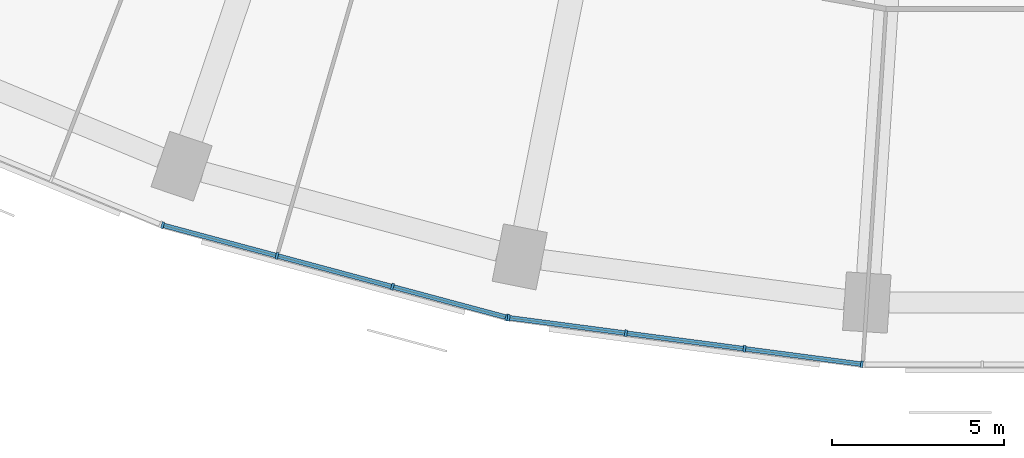
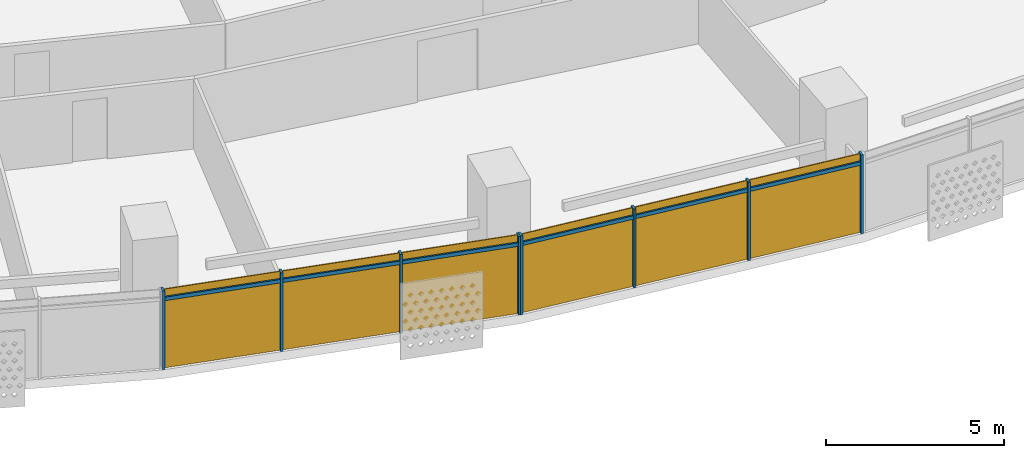
# One storey, part 19 of 31: 14 members, 2 curtain walls.
"""IFC4 building model written with IfcOpenShell, lengths in metres."""

from ifc_helpers import new_model, si_unit, direction, frame, origin, origin_2d, place, context, subcontext, project, spatial, rectangle, extrude, material, material_profile, profile_set, type_object, element, aggregate, save


model = new_model("IFC4")

# Units and contexts
model_context = context("Model", 3, precision=1e-05, world=origin(), true_north=direction((0.0, 1.0)))
body_context = subcontext(model_context, "Body", "Model", "MODEL_VIEW")
ifc_project = project(units=[si_unit("LENGTHUNIT", "METRE"), si_unit("AREAUNIT", "SQUARE_METRE"), si_unit("VOLUMEUNIT", "CUBIC_METRE"), si_unit("PLANEANGLEUNIT", "RADIAN"), si_unit("MASSUNIT", "GRAM", prefix="KILO")], contexts=[model_context])

# Member
ifc_material = material(Name="Aluminium 6063-T6 anodised", Category="aluminium")
ifc_material_profile_1 = material_profile(ifc_material, rectangle(XDim=0.199951171875, YDim=0.070068359375, at=origin_2d()))
ifc_profile_set_1 = profile_set([ifc_material_profile_1], Name="Aluminium 6063-T6 anodised")
member_type_1 = type_object("IfcMemberType", Name="Mullion 70 x 200 aluminium", PredefinedType="MULLION", material=ifc_profile_set_1)
site_placement = place(None, origin())
building_placement = place(site_placement, origin())
storey_placement = place(building_placement, frame((0.0, 0.0, 82.300048828125)))
member_1_placement = place(storey_placement, frame((-25.54296875, -75.33544921875, 0.0), z_axis=(0.0, 0.0, 1.0), x_axis=(0.258819045103, 0.965925826289, 0.0)))
member_1 = element("IfcMember", 1, at=member_1_placement, type_object=member_type_1, Name="e-cw1-L17-out06/M00", PredefinedType="MULLION", context=body_context, shape_type="SweptSolid", body=[
    extrude(rectangle(XDim=0.199951171875, YDim=0.070068359375, at=origin_2d()), origin(), (0.0, 0.0, 1.0), 2.699951171875),
])

member_2_placement = place(storey_placement, frame((-22.22216796875, -76.225341796875, 0.0), z_axis=(0.0, 0.0, 1.0), x_axis=(0.258819045103, 0.965925826289, 0.0)))
member_2 = element("IfcMember", 2, at=member_2_placement, type_object=member_type_1, Name="e-cw1-L17-out06/M01", PredefinedType="MULLION", context=body_context, shape_type="SweptSolid", body=[
    extrude(rectangle(XDim=0.199951171875, YDim=0.070068359375, at=origin_2d()), origin(), (0.0, 0.0, 1.0), 2.699951171875),
])

member_3_placement = place(storey_placement, frame((-18.86767578125, -77.1240234375, 0.0), z_axis=(0.0, 0.0, 1.0), x_axis=(0.258819045103, 0.965925826289, 0.0)))
member_3 = element("IfcMember", 3, at=member_3_placement, type_object=member_type_1, Name="e-cw1-L17-out06/M02", PredefinedType="MULLION", context=body_context, shape_type="SweptSolid", body=[
    extrude(rectangle(XDim=0.199951171875, YDim=0.070068359375, at=origin_2d()), origin(), (0.0, 0.0, 1.0), 2.699951171875),
])

member_4_placement = place(storey_placement, frame((-15.546875, -78.013916015625, 0.0), z_axis=(0.0, 0.0, 1.0), x_axis=(0.258819045103, 0.965925826289, 0.0)))
member_4 = element("IfcMember", 4, at=member_4_placement, type_object=member_type_1, Name="e-cw1-L17-out06/M03", PredefinedType="MULLION", context=body_context, shape_type="SweptSolid", body=[
    extrude(rectangle(XDim=0.199951171875, YDim=0.070068359375, at=origin_2d()), origin(), (0.0, 0.0, 1.0), 2.699951171875),
])

member_5_placement = place(storey_placement, frame((-15.4912109375, -78.02490234375, 0.0), z_axis=(0.0, 0.0, 1.0), x_axis=(0.13052619222, 0.991444861374, 0.0)))
member_5 = element("IfcMember", 5, at=member_5_placement, type_object=member_type_1, Name="e-cw1-L17-out07/M00", PredefinedType="MULLION", context=body_context, shape_type="SweptSolid", body=[
    extrude(rectangle(XDim=0.199951171875, YDim=0.070068359375, at=origin_2d()), origin(), (0.0, 0.0, 1.0), 2.699951171875),
])

member_6_placement = place(storey_placement, frame((-12.082763671875, -78.4736328125, 0.0), z_axis=(0.0, 0.0, 1.0), x_axis=(0.13052619222, 0.991444861374, 0.0)))
member_6 = element("IfcMember", 6, at=member_6_placement, type_object=member_type_1, Name="e-cw1-L17-out07/M01", PredefinedType="MULLION", context=body_context, shape_type="SweptSolid", body=[
    extrude(rectangle(XDim=0.199951171875, YDim=0.070068359375, at=origin_2d()), origin(), (0.0, 0.0, 1.0), 2.699951171875),
])

member_7_placement = place(storey_placement, frame((-8.639404296875, -78.927001953125, 0.0), z_axis=(0.0, 0.0, 1.0), x_axis=(0.13052619222, 0.991444861374, 0.0)))
member_7 = element("IfcMember", 7, at=member_7_placement, type_object=member_type_1, Name="e-cw1-L17-out07/M02", PredefinedType="MULLION", context=body_context, shape_type="SweptSolid", body=[
    extrude(rectangle(XDim=0.199951171875, YDim=0.070068359375, at=origin_2d()), origin(), (0.0, 0.0, 1.0), 2.699951171875),
])

member_8_placement = place(storey_placement, frame((-5.23095703125, -79.375732421875, 0.0), z_axis=(0.0, 0.0, 1.0), x_axis=(0.13052619222, 0.991444861374, 0.0)))
member_8 = element("IfcMember", 8, at=member_8_placement, type_object=member_type_1, Name="e-cw1-L17-out07/M03", PredefinedType="MULLION", context=body_context, shape_type="SweptSolid", body=[
    extrude(rectangle(XDim=0.199951171875, YDim=0.070068359375, at=origin_2d()), origin(), (0.0, 0.0, 1.0), 2.699951171875),
])

ifc_material_profile_2 = material_profile(ifc_material, rectangle(XDim=0.139892578125, YDim=0.1201171875, at=origin_2d()))
ifc_profile_set_2 = profile_set([ifc_material_profile_2], Name="Aluminium 6063-T6 anodised")
member_type_2 = type_object("IfcMemberType", Name="Transom 120 x 140 aluminium", PredefinedType="USERDEFINED", material=ifc_profile_set_2)
member_9_placement = place(storey_placement, frame((-25.50927734375, -75.344482421875, 2.39990234375), z_axis=(0.965915368772, -0.258858069935, 0.0), x_axis=(0.258858069935, 0.965915368772, 0.0)))
member_9 = element("IfcMember", 9, at=member_9_placement, type_object=member_type_2, Name="e-cw1-L17-out06/T00", ObjectType="TRANSOM", PredefinedType="USERDEFINED", context=body_context, shape_type="SweptSolid", body=[
    extrude(rectangle(XDim=0.139892578125, YDim=0.1201171875, at=origin_2d()), origin(), (0.0, 0.0, 1.0), 3.367919921875),
])

member_10_placement = place(storey_placement, frame((-22.1884765625, -76.234375, 2.39990234375), z_axis=(0.965937804901, -0.258774336176, 0.0), x_axis=(0.258774336176, 0.965937804901, 0.0)))
member_10 = element("IfcMember", 10, at=member_10_placement, type_object=member_type_2, Name="e-cw1-L17-out06/T01", ObjectType="TRANSOM", PredefinedType="USERDEFINED", context=body_context, shape_type="SweptSolid", body=[
    extrude(rectangle(XDim=0.139892578125, YDim=0.1201171875, at=origin_2d()), origin(), (0.0, 0.0, 1.0), 3.403076171875),
])

member_11_placement = place(storey_placement, frame((-18.833740234375, -77.133056640625, 2.39990234375), z_axis=(0.965915368772, -0.258858069935, 0.0), x_axis=(0.258858069935, 0.965915368772, 0.0)))
member_11 = element("IfcMember", 11, at=member_11_placement, type_object=member_type_2, Name="e-cw1-L17-out06/T02", ObjectType="TRANSOM", PredefinedType="USERDEFINED", context=body_context, shape_type="SweptSolid", body=[
    extrude(rectangle(XDim=0.139892578125, YDim=0.1201171875, at=origin_2d()), origin(), (0.0, 0.0, 1.0), 3.367919921875),
])

member_12_placement = place(storey_placement, frame((-15.45654296875, -78.029541015625, 2.39990234375), z_axis=(0.9914412138, -0.130553895303, 0.0), x_axis=(0.130553895303, 0.9914412138, 0.0)))
member_12 = element("IfcMember", 12, at=member_12_placement, type_object=member_type_2, Name="e-cw1-L17-out07/T00", ObjectType="TRANSOM", PredefinedType="USERDEFINED", context=body_context, shape_type="SweptSolid", body=[
    extrude(rectangle(XDim=0.139892578125, YDim=0.1201171875, at=origin_2d()), origin(), (0.0, 0.0, 1.0), 3.367919921875),
])

member_13_placement = place(storey_placement, frame((-12.048095703125, -78.478271484375, 2.39990234375), z_axis=(0.991447700941, -0.130504621753, 0.0), x_axis=(0.130504621753, 0.991447700941, 0.0)))
member_13 = element("IfcMember", 13, at=member_13_placement, type_object=member_type_2, Name="e-cw1-L17-out07/T01", ObjectType="TRANSOM", PredefinedType="USERDEFINED", context=body_context, shape_type="SweptSolid", body=[
    extrude(rectangle(XDim=0.139892578125, YDim=0.1201171875, at=origin_2d()), origin(), (0.0, 0.0, 1.0), 3.40283203125),
])

member_14_placement = place(storey_placement, frame((-8.604736328125, -78.931640625, 2.39990234375), z_axis=(0.991450594138, -0.130482640159, 0.0), x_axis=(0.130482640159, 0.991450594138, 0.0)))
member_14 = element("IfcMember", 14, at=member_14_placement, type_object=member_type_2, Name="e-cw1-L17-out07/T02", ObjectType="TRANSOM", PredefinedType="USERDEFINED", context=body_context, shape_type="SweptSolid", body=[
    extrude(rectangle(XDim=0.139892578125, YDim=0.1201171875, at=origin_2d()), origin(), (0.0, 0.0, 1.0), 3.367919921875),
])

# Site, building, storey
site = spatial("IfcSite", under=ifc_project, at=site_placement, CompositionType="ELEMENT")
building = spatial("IfcBuilding", under=site, at=building_placement, Name="Qamariyya Broadcast Tower", CompositionType="ELEMENT")
storey = spatial("IfcBuildingStorey", under=building, at=storey_placement, Name="L17", CompositionType="ELEMENT", Elevation=82.300048828125)

# Curtain wall
curtain_wall_type = type_object("IfcCurtainWallType", Name="Unitised curtain wall, anodised aluminium", PredefinedType="NOTDEFINED", material=ifc_material)
curtain_wall_1_placement = place(storey_placement, origin())
curtain_wall_1 = element("IfcCurtainWall", 15, at=curtain_wall_1_placement, inside=storey, type_object=curtain_wall_type, Name="e-cw1-L17-out06", PredefinedType="NOTDEFINED", context=body_context, shape_type="SweptSolid", body=[
    extrude(rectangle(XDim=3.367919921875, YDim=0.031982421875, at=origin_2d()), frame((-23.882568359375, -75.7802734375, 0.0), x_axis=(0.965925039578, -0.258821981129, 0.0)), (0.0, 0.0, 1.0), 2.340087890625),
    extrude(rectangle(XDim=3.367919921875, YDim=0.031982421875, at=origin_2d()), frame((-23.882568359375, -75.7802734375, 2.4599609375), x_axis=(0.965925039578, -0.258821981129, 0.0)), (0.0, 0.0, 1.0), 0.239990234375),
    extrude(rectangle(XDim=3.40283203125, YDim=0.031982421875, at=origin_2d()), frame((-20.544921875, -76.6748046875, 0.0), x_axis=(0.965925039578, -0.258821981129, 0.0)), (0.0, 0.0, 1.0), 2.340087890625),
    extrude(rectangle(XDim=3.40283203125, YDim=0.031982421875, at=origin_2d()), frame((-20.544921875, -76.6748046875, 2.4599609375), x_axis=(0.965925039578, -0.258821981129, 0.0)), (0.0, 0.0, 1.0), 0.239990234375),
    extrude(rectangle(XDim=3.367919921875, YDim=0.031982421875, at=origin_2d()), frame((-17.207275390625, -77.569091796875, 0.0), x_axis=(0.965925039578, -0.258821981129, 0.0)), (0.0, 0.0, 1.0), 2.340087890625),
    extrude(rectangle(XDim=3.367919921875, YDim=0.031982421875, at=origin_2d()), frame((-17.207275390625, -77.569091796875, 2.4599609375), x_axis=(0.965925039578, -0.258821981129, 0.0)), (0.0, 0.0, 1.0), 0.239990234375),
])

aggregate(curtain_wall_1, [member_1, member_2, member_3, member_4, member_9, member_10, member_11])

curtain_wall_2_placement = place(storey_placement, origin())
curtain_wall_2 = element("IfcCurtainWall", 16, at=curtain_wall_2_placement, inside=storey, type_object=curtain_wall_type, Name="e-cw1-L17-out07", PredefinedType="NOTDEFINED", context=body_context, shape_type="SweptSolid", body=[
    extrude(rectangle(XDim=3.367919921875, YDim=0.031982421875, at=origin_2d()), frame((-13.786865234375, -78.24951171875, 0.0), x_axis=(0.991445519925, -0.130521189931, 0.0)), (0.0, 0.0, 1.0), 2.340087890625),
    extrude(rectangle(XDim=3.367919921875, YDim=0.031982421875, at=origin_2d()), frame((-13.786865234375, -78.24951171875, 2.4599609375), x_axis=(0.991445519925, -0.130521189931, 0.0)), (0.0, 0.0, 1.0), 0.239990234375),
    extrude(rectangle(XDim=3.40283203125, YDim=0.031982421875, at=origin_2d()), frame((-10.361083984375, -78.700439453125, 0.0), x_axis=(0.991445519925, -0.130521189931, 0.0)), (0.0, 0.0, 1.0), 2.340087890625),
    extrude(rectangle(XDim=3.40283203125, YDim=0.031982421875, at=origin_2d()), frame((-10.361083984375, -78.700439453125, 2.4599609375), x_axis=(0.991445519925, -0.130521189931, 0.0)), (0.0, 0.0, 1.0), 0.239990234375),
    extrude(rectangle(XDim=3.367919921875, YDim=0.031982421875, at=origin_2d()), frame((-6.935302734375, -79.1513671875, 0.0), x_axis=(0.991445519925, -0.130521189931, 0.0)), (0.0, 0.0, 1.0), 2.340087890625),
    extrude(rectangle(XDim=3.367919921875, YDim=0.031982421875, at=origin_2d()), frame((-6.935302734375, -79.1513671875, 2.4599609375), x_axis=(0.991445519925, -0.130521189931, 0.0)), (0.0, 0.0, 1.0), 0.239990234375),
])

aggregate(curtain_wall_2, [member_5, member_6, member_7, member_8, member_12, member_13, member_14])

save(model, "model.ifc")
